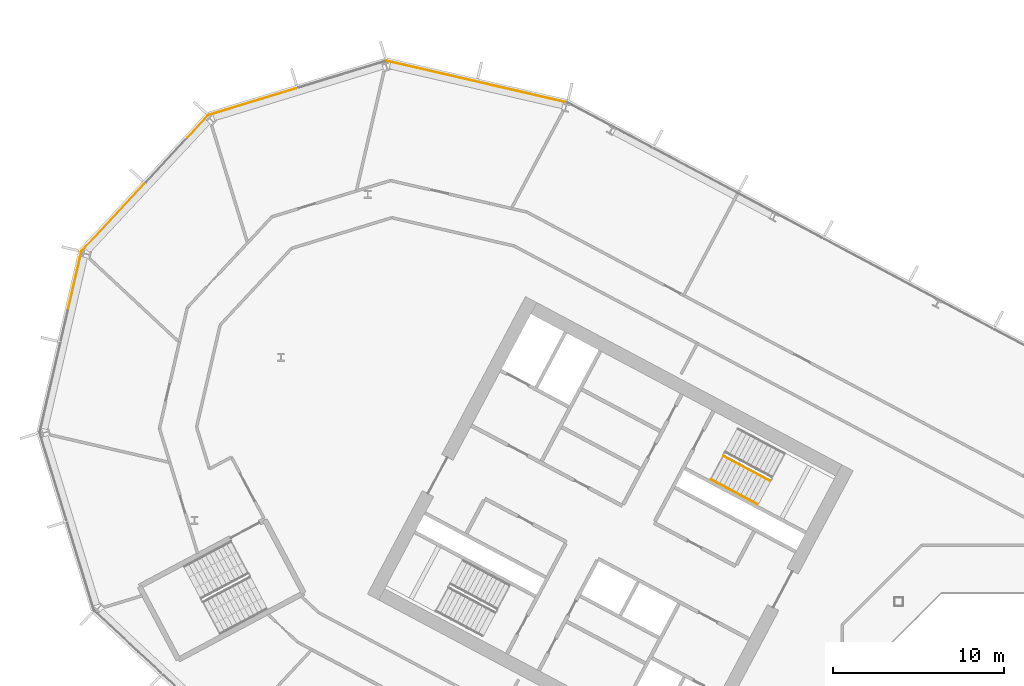
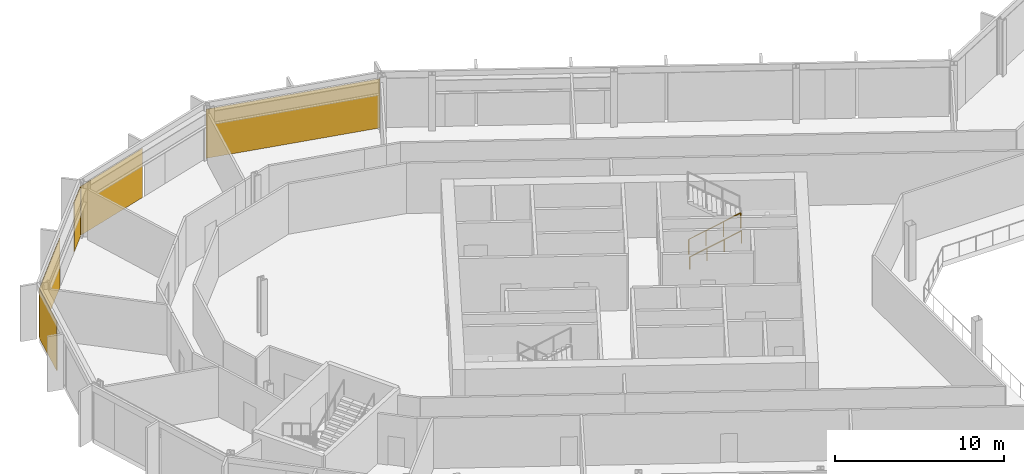
# One storey, part 22 of 28: 5 coverings, 2 railings, 4 elements without a shape of their own.
"""IFC4 building model written with IfcOpenShell, lengths in metres."""

from ifc_helpers import new_model, si_unit, direction, frame, origin, origin_2d, place, context, subcontext, project, spatial, polyline, rectangle, outline, extrude, material, layer, layer_set, type_object, element, aggregate, save


model = new_model("IFC4")

# Units and contexts
model_context = context("Model", 3, precision=1e-05, world=origin(), true_north=direction((0.0, 1.0)))
body_context = subcontext(model_context, "Body", "Model", "MODEL_VIEW")
ifc_project = project(units=[si_unit("LENGTHUNIT", "METRE"), si_unit("AREAUNIT", "SQUARE_METRE"), si_unit("VOLUMEUNIT", "CUBIC_METRE"), si_unit("PLANEANGLEUNIT", "RADIAN"), si_unit("MASSUNIT", "GRAM", prefix="KILO")], contexts=[model_context])

# Site, building, storey
site_placement = place(None, origin())
site = spatial("IfcSite", under=ifc_project, at=site_placement, CompositionType="ELEMENT")
building_placement = place(site_placement, origin())
building = spatial("IfcBuilding", under=site, at=building_placement, Name="Cormorant Relay Tower", CompositionType="ELEMENT")
storey_placement = place(building_placement, frame((0.0, 0.0, 130.199951171875)))
storey = spatial("IfcBuildingStorey", under=building, at=storey_placement, Name="L26", CompositionType="ELEMENT", Elevation=130.199951171875)

# Curtain wall, covering
ifc_material_1 = material(Name="Aluminium 6063-T6 anodised bronze", Category="aluminium")
ifc_layer_1 = layer(ifc_material_1, 0.199951171875)
ifc_layer_set_1 = layer_set([ifc_layer_1], Name="CW1 unitised bronze curtain wall with vertical fins")
curtain_wall_type = type_object("IfcCurtainWallType", Name="CW1 unitised bronze curtain wall with vertical fins", PredefinedType="NOTDEFINED", material=ifc_layer_set_1)
curtain_wall_1_placement = place(storey_placement, origin())
curtain_wall_1 = element("IfcCurtainWall", 1, at=curtain_wall_1_placement, inside=storey, type_object=curtain_wall_type, Name="CW1 curtain wall 10", PredefinedType="NOTDEFINED")
ifc_material_2 = material(Name="Pale bronze anodised aluminium insulated panel", Category="aluminium")
ifc_layer_2 = layer(ifc_material_2, 0.0400390625)
ifc_layer_set_2 = layer_set([ifc_layer_2], Name="CW1 pale bronze insulated panel 40")
covering_type = type_object("IfcCoveringType", Name="CW1 pale bronze insulated panel 40", PredefinedType="CLADDING", material=ifc_layer_set_2)
covering_1_placement = place(storey_placement, frame((-35.20166015625, 40.918701171875, 0.0), z_axis=(0.0, 0.0, 1.0), x_axis=(-0.974370064785, 0.224951054344, 0.0)))
covering_1 = element("IfcCovering", 2, at=covering_1_placement, type_object=covering_type, Name="CW1 panel S00", PredefinedType="CLADDING", context=body_context, shape_type="SweptSolid", body=[
    extrude(rectangle(XDim=10.79541015625, YDim=0.0400390625, at=origin_2d()), origin(), (0.0, 0.0, 1.0), 3.550048828125),
])
aggregate(curtain_wall_1, [covering_1])

curtain_wall_2_placement = place(storey_placement, origin())
curtain_wall_2 = element("IfcCurtainWall", 3, at=curtain_wall_2_placement, inside=storey, type_object=curtain_wall_type, Name="CW1 curtain wall 11", PredefinedType="NOTDEFINED")
covering_2_placement = place(storey_placement, frame((-48.3037109375, 39.73779296875, 0.0), z_axis=(0.0, 0.0, 1.0), x_axis=(-0.956304755963, -0.292371704723, 0.0)))
covering_2 = element("IfcCovering", 4, at=covering_2_placement, type_object=covering_type, Name="CW1 panel S02", PredefinedType="CLADDING", context=body_context, shape_type="SweptSolid", body=[
    extrude(rectangle(XDim=5.360107421875, YDim=0.0400390625, at=origin_2d()), origin(), (0.0, 0.0, 1.0), 3.550048828125),
])
aggregate(curtain_wall_2, [covering_2])

# Curtain wall, coverings
curtain_wall_3_placement = place(storey_placement, origin())
curtain_wall_3 = element("IfcCurtainWall", 5, at=curtain_wall_3_placement, inside=storey, type_object=curtain_wall_type, Name="CW1 curtain wall 12", PredefinedType="NOTDEFINED")
covering_3_placement = place(storey_placement, frame((-51.50146484375, 38.27783203125, 0.0), z_axis=(0.0, 0.0, 1.0), x_axis=(-0.681998360062, -0.731353701619, 0.0)))
covering_3 = element("IfcCovering", 6, at=covering_3_placement, type_object=covering_type, Name="CW1 panel S00", PredefinedType="CLADDING", context=body_context, shape_type="SweptSolid", body=[
    extrude(rectangle(XDim=1.685302734375, YDim=0.0400390625, at=origin_2d()), origin(), (0.0, 0.0, 1.0), 3.550048828125),
])
covering_4_placement = place(storey_placement, frame((-56.461181640625, 32.958984375, 0.0), z_axis=(0.0, 0.0, 1.0), x_axis=(-0.681998360062, -0.731353701619, 0.0)))
covering_4 = element("IfcCovering", 7, at=covering_4_placement, type_object=covering_type, Name="CW1 panel S02", PredefinedType="CLADDING", context=body_context, shape_type="SweptSolid", body=[
    extrude(rectangle(XDim=5.360107421875, YDim=0.0400390625, at=origin_2d()), origin(), (0.0, 0.0, 1.0), 3.550048828125),
])
aggregate(curtain_wall_3, [covering_3, covering_4])

# Curtain wall, covering
curtain_wall_4_placement = place(storey_placement, origin())
curtain_wall_4 = element("IfcCurtainWall", 8, at=curtain_wall_4_placement, inside=storey, type_object=curtain_wall_type, Name="CW1 curtain wall 13", PredefinedType="NOTDEFINED")
covering_5_placement = place(storey_placement, frame((-58.702880859375, 29.218505859375, 0.0), z_axis=(0.0, 0.0, 1.0), x_axis=(-0.224951054344, -0.974370064785, 0.0)))
covering_5 = element("IfcCovering", 9, at=covering_5_placement, type_object=covering_type, Name="CW1 panel S00", PredefinedType="CLADDING", context=body_context, shape_type="SweptSolid", body=[
    extrude(rectangle(XDim=3.485107421875, YDim=0.0400390625, at=origin_2d()), origin(), (0.0, 0.0, 1.0), 3.550048828125),
])
aggregate(curtain_wall_4, [covering_5])

# Railings
ifc_material_3 = material(Name="Steel ASTM A572 Grade 50 (Fy 345 MPa)", Category="steel")
railing_type_1 = type_object("IfcRailingType", Name="Stair guard 1100", PredefinedType="GUARDRAIL", material=ifc_material_3)
railing_1_placement = place(storey_placement, frame((-20.75048828125, 19.017822265625, 0.166748046875)))
element("IfcRailing", 10, at=railing_1_placement, inside=storey, type_object=railing_type_1, Name="L26 A1 stair guard 1", PredefinedType="GUARDRAIL", context=body_context, shape_type="SweptSolid", body=[
    extrude(outline(polyline([(0.022216796875, 0.00927734375), (0.00927734375, 0.022216796875), (-0.00927734375, 0.022216796875), (-0.022216796875, 0.00927734375), (-0.022216796875, -0.00927734375), (-0.00927734375, -0.022216796875), (0.00927734375, -0.022216796875), (0.022216796875, -0.00927734375), (0.022216796875, 0.00927734375)])), frame((0.0, 0.0, 1.076171875), z_axis=(0.758734504837, -0.403377838015, 0.511476559549), x_axis=(0.469427602063, 0.882970965786, 0.0)), (0.0, 0.0, 1.0), 3.584228515625),
    extrude(outline(polyline([(0.019287109375, 0.008056640625), (0.008056640625, 0.019287109375), (-0.008056640625, 0.019287109375), (-0.019287109375, 0.008056640625), (-0.019287109375, -0.008056640625), (-0.008056640625, -0.019287109375), (0.008056640625, -0.019287109375), (0.019287109375, -0.008056640625), (0.019287109375, 0.008056640625)])), origin(), (0.0, 0.0, 1.0), 1.052001953125),
    extrude(outline(polyline([(0.019287109375, 0.008056640625), (0.008056640625, 0.019287109375), (-0.008056640625, 0.019287109375), (-0.019287109375, 0.008056640625), (-0.019287109375, -0.008056640625), (-0.008056640625, -0.019287109375), (0.008056640625, -0.019287109375), (0.019287109375, -0.008056640625), (0.019287109375, 0.008056640625)])), frame((0.906494140625, -0.48193359375, 0.611083984375)), (0.0, 0.0, 1.0), 1.052001953125),
    extrude(outline(polyline([(0.019287109375, 0.008056640625), (0.008056640625, 0.019287109375), (-0.008056640625, 0.019287109375), (-0.019287109375, 0.008056640625), (-0.019287109375, -0.008056640625), (-0.008056640625, -0.019287109375), (0.008056640625, -0.019287109375), (0.019287109375, -0.008056640625), (0.019287109375, 0.008056640625)])), frame((1.81298828125, -0.9638671875, 1.22216796875)), (0.0, 0.0, 1.0), 1.052001953125),
    extrude(outline(polyline([(0.019287109375, 0.008056640625), (0.008056640625, 0.019287109375), (-0.008056640625, 0.019287109375), (-0.019287109375, 0.008056640625), (-0.019287109375, -0.008056640625), (-0.008056640625, -0.019287109375), (0.008056640625, -0.019287109375), (0.019287109375, -0.008056640625), (0.019287109375, 0.008056640625)])), frame((2.719482421875, -1.44580078125, 1.833251953125)), (0.0, 0.0, 1.0), 1.052001953125),
])
ifc_material_4 = material(Name="Steel ASTM A572 Grade 50 (Fy 345 MPa)", Category="steel")
railing_type_2 = type_object("IfcRailingType", Name="Stair handrail 900", PredefinedType="HANDRAIL", material=ifc_material_4)
railing_2_placement = place(storey_placement, frame((-21.478271484375, 17.6494140625, 0.166748046875)))
element("IfcRailing", 11, at=railing_2_placement, inside=storey, type_object=railing_type_2, Name="L26 A1 stair handrail 1", PredefinedType="HANDRAIL", context=body_context, shape_type="SweptSolid", body=[
    extrude(outline(polyline([(0.022216796875, 0.00927734375), (0.00927734375, 0.022216796875), (-0.00927734375, 0.022216796875), (-0.022216796875, 0.00927734375), (-0.022216796875, -0.00927734375), (-0.00927734375, -0.022216796875), (0.00927734375, -0.022216796875), (0.022216796875, -0.00927734375), (0.022216796875, 0.00927734375)])), frame((0.0, 0.0, 0.8759765625), z_axis=(0.758713656843, -0.403434867536, 0.511462505542), x_axis=(0.469489399267, 0.882938108802, 0.0)), (0.0, 0.0, 1.0), 3.584228515625),
    extrude(outline(polyline([(0.019287109375, 0.008056640625), (0.008056640625, 0.019287109375), (-0.008056640625, 0.019287109375), (-0.019287109375, 0.008056640625), (-0.019287109375, -0.008056640625), (-0.008056640625, -0.019287109375), (0.008056640625, -0.019287109375), (0.019287109375, -0.008056640625), (0.019287109375, 0.008056640625)])), origin(), (0.0, 0.0, 1.0), 0.851806640625),
    extrude(outline(polyline([(0.019287109375, 0.008056640625), (0.008056640625, 0.019287109375), (-0.008056640625, 0.019287109375), (-0.019287109375, 0.008056640625), (-0.019287109375, -0.008056640625), (-0.008056640625, -0.019287109375), (0.008056640625, -0.019287109375), (0.019287109375, -0.008056640625), (0.019287109375, 0.008056640625)])), frame((0.906494140625, -0.48193359375, 0.611083984375)), (0.0, 0.0, 1.0), 0.851806640625),
    extrude(outline(polyline([(0.019287109375, 0.008056640625), (0.008056640625, 0.019287109375), (-0.008056640625, 0.019287109375), (-0.019287109375, 0.008056640625), (-0.019287109375, -0.008056640625), (-0.008056640625, -0.019287109375), (0.008056640625, -0.019287109375), (0.019287109375, -0.008056640625), (0.019287109375, 0.008056640625)])), frame((1.81298828125, -0.964111328125, 1.22216796875)), (0.0, 0.0, 1.0), 0.851806640625),
    extrude(outline(polyline([(0.019287109375, 0.008056640625), (0.008056640625, 0.019287109375), (-0.008056640625, 0.019287109375), (-0.019287109375, 0.008056640625), (-0.019287109375, -0.008056640625), (-0.008056640625, -0.019287109375), (0.008056640625, -0.019287109375), (0.019287109375, -0.008056640625), (0.019287109375, 0.008056640625)])), frame((2.719482421875, -1.446044921875, 1.833251953125)), (0.0, 0.0, 1.0), 0.851806640625),
])

save(model, "model.ifc")
